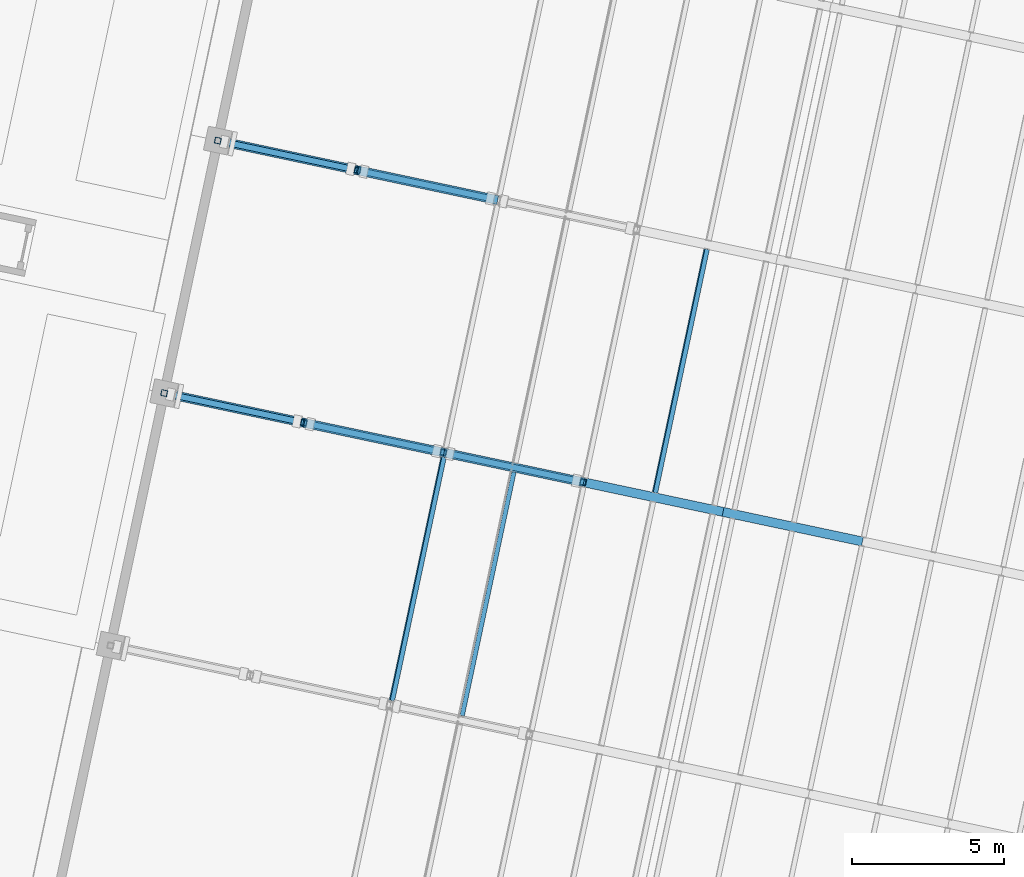
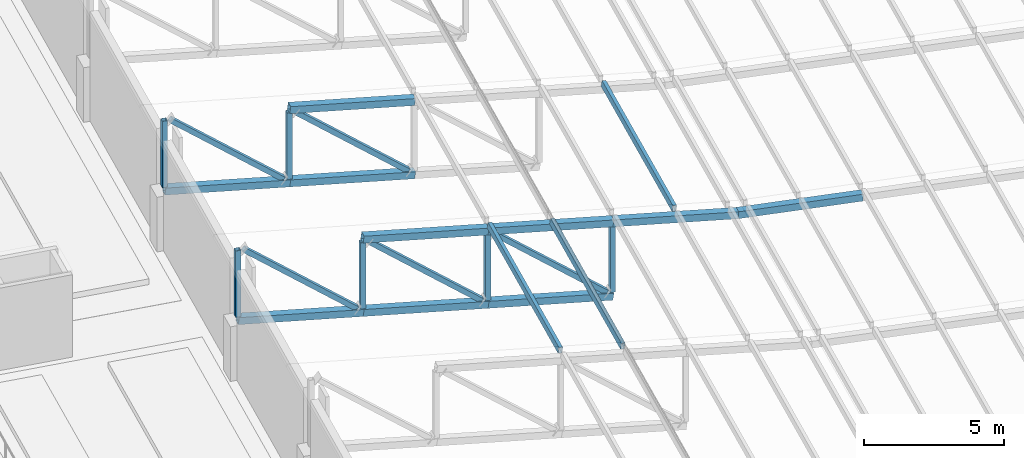
# One storey, part 52 of 196: 24 members.
"""IFC4 building model written with IfcOpenShell, lengths in metres."""

from ifc_helpers import new_model, si_unit, direction, frame, origin, origin_2d, place, context, subcontext, project, spatial, hollow_rectangle, extrude, material, material_profile, profile_set, type_object, element, save


model = new_model("IFC4")

# Units and contexts
model_context = context("Model", 3, precision=1e-05, world=origin(), true_north=direction((0.0, 1.0)))
body_context = subcontext(model_context, "Body", "Model", "MODEL_VIEW")
ifc_project = project(units=[si_unit("LENGTHUNIT", "METRE"), si_unit("AREAUNIT", "SQUARE_METRE"), si_unit("VOLUMEUNIT", "CUBIC_METRE"), si_unit("PLANEANGLEUNIT", "RADIAN"), si_unit("MASSUNIT", "GRAM", prefix="KILO")], contexts=[model_context])

# Site, building, storey
site_placement = place(None, origin())
site = spatial("IfcSite", under=ifc_project, at=site_placement, CompositionType="ELEMENT")
building_placement = place(site_placement, origin())
building = spatial("IfcBuilding", under=site, at=building_placement, Name="Okhra Congress Centre", CompositionType="ELEMENT")
storey_placement = place(building_placement, frame((0.0, 0.0, 12.0)))
storey = spatial("IfcBuildingStorey", under=building, at=storey_placement, Name="L02", CompositionType="ELEMENT", Elevation=12.0)

# Members
ifc_material = material(Name="Steel S355J2", Category="steel")
ifc_material_profile_1 = material_profile(ifc_material, hollow_rectangle(XDim=0.14990234375, YDim=0.25, WallThickness=0.008056640625, at=origin_2d()), Name="RHS 250x150x8")
ifc_profile_set_1 = profile_set([ifc_material_profile_1], Name="Steel S355J2")
member_type_1 = type_object("IfcMemberType", Name="Steel roof purlin RHS 250x150x8", PredefinedType="PURLIN", material=ifc_profile_set_1)
for number, where, z_axis, x_axis, name in (
    (1, (210.980224609375, 102.1728515625, 4.537109375), (0.207908251916, 0.978148331689, 0.0), (-0.968629059364, 0.2058849031, 0.13917310096), "Roof purlin 2.5"),
    (2, (213.27880859375, 101.684326171875, 4.206787109375), (0.207908251916, 0.978148331689, 0.0), (-0.968629059364, 0.2058849031, 0.13917310096), "Roof purlin 2.6"),
):
    element("IfcMember", number, at=place(storey_placement, frame(where, z_axis=z_axis, x_axis=x_axis)), inside=storey, type_object=member_type_1, Name=name, PredefinedType="PURLIN", context=body_context, shape_type="SweptSolid", body=[
        extrude(hollow_rectangle(XDim=0.14990234375, YDim=0.25, WallThickness=0.008056640625, at=origin_2d()), origin(), (0.0, 0.0, 1.0), 8.199951171875),
    ])
member_1_placement = place(storey_placement, frame((219.643310546875, 109.021240234375, 3.546142578125), z_axis=(0.2079021972, 0.978149618616, 0.0), x_axis=(-0.968630333768, 0.205878907308, 0.13917310096)))
element("IfcMember", 3, at=member_1_placement, inside=storey, type_object=member_type_1, Name="Roof purlin 3.8", PredefinedType="PURLIN", context=body_context, shape_type="SweptSolid", body=[
    extrude(hollow_rectangle(XDim=0.14990234375, YDim=0.25, WallThickness=0.008056640625, at=origin_2d()), origin(), (0.0, 0.0, 1.0), 8.2001953125),
])
ifc_material_profile_2 = material_profile(ifc_material, hollow_rectangle(XDim=0.300048828125, YDim=0.300048828125, WallThickness=0.01611328125, at=origin_2d()), Name="RHS 300x300x16")
ifc_profile_set_2 = profile_set([ifc_material_profile_2], Name="Steel S355J2")
member_type_2 = type_object("IfcMemberType", Name="Steel truss chord RHS 300x300x16", PredefinedType="CHORD", material=ifc_profile_set_2)
member_2_placement = place(storey_placement, frame((203.484130859375, 112.302734375, 2.3857421875), z_axis=(0.968629274242, -0.205906376974, -0.139139832554), x_axis=(0.207928955205, 0.978143930916, 0.0)))
element("IfcMember", 4, at=member_2_placement, inside=storey, type_object=member_type_2, Name="Hall truss 3 bottom chord 1", PredefinedType="CHORD", context=body_context, shape_type="SweptSolid", body=[
    extrude(hollow_rectangle(XDim=0.300048828125, YDim=0.300048828125, WallThickness=0.01611328125, at=origin_2d()), origin(), (0.0, 0.0, 1.0), 4.746337890625),
])
for number, where, z_axis, x_axis, name in (
    (5, (208.08154296875, 111.325439453125, 1.725341796875), (0.968629421706, -0.205865902584, -0.139198683757), (0.20788981954, 0.978152249362, 0.0), "Hall truss 3 bottom chord 2"),
    (6, (208.08154296875, 111.325439453125, 4.92529296875), (0.968629421706, -0.205865902584, -0.139198683757), (0.20788981954, 0.978152249362, 0.0), "Hall truss 3 top chord 2"),
):
    element("IfcMember", number, at=place(storey_placement, frame(where, z_axis=z_axis, x_axis=x_axis)), inside=storey, type_object=member_type_2, Name=name, PredefinedType="CHORD", context=body_context, shape_type="SweptSolid", body=[
        extrude(hollow_rectangle(XDim=0.300048828125, YDim=0.300048828125, WallThickness=0.01611328125, at=origin_2d()), origin(), (0.0, 0.0, 1.0), 4.74609375),
    ])
for number, where, z_axis, x_axis, name in (
    (7, (212.6787109375, 110.348388671875, 1.064697265625), (0.968622340481, -0.205904903029, -0.139190274194), (0.207928955205, 0.978143930916, 0.0), "Hall truss 3 bottom chord 3"),
    (8, (212.6787109375, 110.348388671875, 4.2646484375), (0.968629274242, -0.205906376974, -0.139139832554), (0.207928955205, 0.978143930916, 0.0), "Hall truss 3 top chord 3"),
):
    element("IfcMember", number, at=place(storey_placement, frame(where, z_axis=z_axis, x_axis=x_axis)), inside=storey, type_object=member_type_2, Name=name, PredefinedType="CHORD", context=body_context, shape_type="SweptSolid", body=[
        extrude(hollow_rectangle(XDim=0.300048828125, YDim=0.300048828125, WallThickness=0.01611328125, at=origin_2d()), origin(), (0.0, 0.0, 1.0), 4.746337890625),
    ])
member_3_placement = place(storey_placement, frame((217.276123046875, 109.37109375, 3.604248046875), z_axis=(0.968629421706, -0.205865902584, -0.139198683757), x_axis=(0.20788981954, 0.978152249362, 0.0)))
element("IfcMember", 9, at=member_3_placement, inside=storey, type_object=member_type_2, Name="Hall truss 3 top chord 4", PredefinedType="CHORD", context=body_context, shape_type="SweptSolid", body=[
    extrude(hollow_rectangle(XDim=0.300048828125, YDim=0.300048828125, WallThickness=0.01611328125, at=origin_2d()), origin(), (0.0, 0.0, 1.0), 4.74609375),
])
member_4_placement = place(storey_placement, frame((221.873291015625, 108.39404296875, 2.943603515625), z_axis=(0.976803265923, -0.207643963331, -0.052338935549), x_axis=(0.207928955205, 0.978143930916, 0.0)))
element("IfcMember", 10, at=member_4_placement, inside=storey, type_object=member_type_2, Name="Hall truss 3 top chord 5", PredefinedType="CHORD", context=body_context, shape_type="SweptSolid", body=[
    extrude(hollow_rectangle(XDim=0.300048828125, YDim=0.300048828125, WallThickness=0.01611328125, at=origin_2d()), origin(), (0.0, 0.0, 1.0), 4.70654296875),
])
member_5_placement = place(storey_placement, frame((205.25146484375, 120.616943359375, 2.3857421875), z_axis=(0.968636356355, -0.205867376428, -0.13914823919), x_axis=(0.20788981954, 0.978152249362, 0.0)))
element("IfcMember", 11, at=member_5_placement, inside=storey, type_object=member_type_2, Name="Hall truss 4 bottom chord 1", PredefinedType="CHORD", context=body_context, shape_type="SweptSolid", body=[
    extrude(hollow_rectangle(XDim=0.300048828125, YDim=0.300048828125, WallThickness=0.01611328125, at=origin_2d()), origin(), (0.0, 0.0, 1.0), 4.74609375),
])
for number, where, z_axis, x_axis, name in (
    (12, (209.8486328125, 119.639892578125, 1.725341796875), (0.968622340481, -0.205904903029, -0.139190274194), (0.207928955205, 0.978143930916, 0.0), "Hall truss 4 bottom chord 2"),
    (13, (209.8486328125, 119.639892578125, 4.92529296875), (0.968622340481, -0.205904903029, -0.139190274194), (0.207928955205, 0.978143930916, 0.0), "Hall truss 4 top chord 2"),
):
    element("IfcMember", number, at=place(storey_placement, frame(where, z_axis=z_axis, x_axis=x_axis)), inside=storey, type_object=member_type_2, Name=name, PredefinedType="CHORD", context=body_context, shape_type="SweptSolid", body=[
        extrude(hollow_rectangle(XDim=0.300048828125, YDim=0.300048828125, WallThickness=0.01611328125, at=origin_2d()), origin(), (0.0, 0.0, 1.0), 4.746337890625),
    ])
ifc_material_profile_3 = material_profile(ifc_material, hollow_rectangle(XDim=0.199951171875, YDim=0.199951171875, WallThickness=0.010009765625, at=origin_2d()), Name="RHS 200x200x10 diagonal")
ifc_profile_set_3 = profile_set([ifc_material_profile_3], Name="Steel S355J2")
member_type_3 = type_object("IfcMemberType", Name="Steel truss diagonal RHS 200x200x10", PredefinedType="BRACE", material=ifc_profile_set_3)
for number, where, z_axis, x_axis, name in (
    (14, (203.707763671875, 112.255126953125, 5.398193359375), (0.755829226515, -0.160645390635, -0.634756046693), (0.207897982731, 0.978150514377, 0.0), "Hall truss 3 diagonal 1"),
    (15, (208.304931640625, 111.278076171875, 4.737548828125), (0.75586961912, -0.160644525522, -0.634708165467), (0.207886281963, 0.978153001208, 0.0), "Hall truss 3 diagonal 2"),
):
    element("IfcMember", number, at=place(storey_placement, frame(where, z_axis=z_axis, x_axis=x_axis)), inside=storey, type_object=member_type_3, Name=name, PredefinedType="BRACE", context=body_context, shape_type="SweptSolid", body=[
        extrude(hollow_rectangle(XDim=0.199951171875, YDim=0.199951171875, WallThickness=0.010009765625, at=origin_2d()), origin(), (0.0, 0.0, 1.0), 5.490966796875),
    ])
member_6_placement = place(storey_placement, frame((212.90234375, 110.30078125, 4.076904296875), z_axis=(0.755850558635, -0.160649924604, -0.634729497295), x_axis=(0.207897982731, 0.978150514377, 0.0)))
element("IfcMember", 16, at=member_6_placement, inside=storey, type_object=member_type_3, Name="Hall truss 3 diagonal 3", PredefinedType="BRACE", context=body_context, shape_type="SweptSolid", body=[
    extrude(hollow_rectangle(XDim=0.199951171875, YDim=0.199951171875, WallThickness=0.010009765625, at=origin_2d()), origin(), (0.0, 0.0, 1.0), 5.49072265625),
])
member_7_placement = place(storey_placement, frame((205.474853515625, 120.569580078125, 5.398193359375), z_axis=(0.755842888696, -0.160683305867, -0.634730181119), x_axis=(0.207941332766, 0.978141299674, 0.0)))
element("IfcMember", 17, at=member_7_placement, inside=storey, type_object=member_type_3, Name="Hall truss 4 diagonal 1", PredefinedType="BRACE", context=body_context, shape_type="SweptSolid", body=[
    extrude(hollow_rectangle(XDim=0.199951171875, YDim=0.199951171875, WallThickness=0.010009765625, at=origin_2d()), origin(), (0.0, 0.0, 1.0), 5.490966796875),
])
member_8_placement = place(storey_placement, frame((210.072265625, 119.59228515625, 4.737548828125), z_axis=(0.755850558635, -0.160649924604, -0.634729497295), x_axis=(0.207897982731, 0.978150514377, 0.0)))
element("IfcMember", 18, at=member_8_placement, inside=storey, type_object=member_type_3, Name="Hall truss 4 diagonal 2", PredefinedType="BRACE", context=body_context, shape_type="SweptSolid", body=[
    extrude(hollow_rectangle(XDim=0.199951171875, YDim=0.199951171875, WallThickness=0.010009765625, at=origin_2d()), origin(), (0.0, 0.0, 1.0), 5.49072265625),
])
ifc_material_profile_4 = material_profile(ifc_material, hollow_rectangle(XDim=0.199951171875, YDim=0.199951171875, WallThickness=0.010009765625, at=origin_2d()), Name="RHS 200x200x10")
ifc_profile_set_4 = profile_set([ifc_material_profile_4], Name="Steel S355J2")
member_type_4 = type_object("IfcMemberType", Name="Steel truss post RHS 200x200x10", PredefinedType="POST", material=ifc_profile_set_4)
for number, where, z_axis, x_axis, name in (
    (19, (203.484130859375, 112.302734375, 2.537353515625), (0.0, 0.0, 1.0), (0.978147600734, -0.207911690818, 0.0), "Hall truss 3 post 1"),
    (20, (208.08154296875, 111.325439453125, 1.876708984375), (0.0, 0.0, 1.0), (0.978147600734, -0.207911690818, 0.0), "Hall truss 3 post 2"),
):
    element("IfcMember", number, at=place(storey_placement, frame(where, z_axis=z_axis, x_axis=x_axis)), inside=storey, type_object=member_type_4, Name=name, PredefinedType="POST", context=body_context, shape_type="SweptSolid", body=[
        extrude(hollow_rectangle(XDim=0.199951171875, YDim=0.199951171875, WallThickness=0.010009765625, at=origin_2d()), origin(), (0.0, 0.0, 1.0), 2.89697265625),
    ])
member_9_placement = place(storey_placement, frame((212.6787109375, 110.348388671875, 1.216064453125), z_axis=(0.0, 0.0, 1.0), x_axis=(0.978147600734, -0.207911690818, 0.0)))
element("IfcMember", 21, at=member_9_placement, inside=storey, type_object=member_type_4, Name="Hall truss 3 post 3", PredefinedType="POST", context=body_context, shape_type="SweptSolid", body=[
    extrude(hollow_rectangle(XDim=0.199951171875, YDim=0.199951171875, WallThickness=0.010009765625, at=origin_2d()), origin(), (0.0, 0.0, 1.0), 2.897216796875),
])
for number, where, z_axis, x_axis, name in (
    (22, (217.276123046875, 109.37109375, 0.5556640625), (0.0, 0.0, 1.0), (0.978147600734, -0.207911690818, 0.0), "Hall truss 3 post 4"),
    (23, (205.25146484375, 120.616943359375, 2.537353515625), (0.0, 0.0, 1.0), (0.978147600734, -0.207911690818, 0.0), "Hall truss 4 post 1"),
    (24, (209.8486328125, 119.639892578125, 1.876708984375), (0.0, 0.0, 1.0), (0.978147600734, -0.207911690818, 0.0), "Hall truss 4 post 2"),
):
    element("IfcMember", number, at=place(storey_placement, frame(where, z_axis=z_axis, x_axis=x_axis)), inside=storey, type_object=member_type_4, Name=name, PredefinedType="POST", context=body_context, shape_type="SweptSolid", body=[
        extrude(hollow_rectangle(XDim=0.199951171875, YDim=0.199951171875, WallThickness=0.010009765625, at=origin_2d()), origin(), (0.0, 0.0, 1.0), 2.89697265625),
    ])

save(model, "model.ifc")
